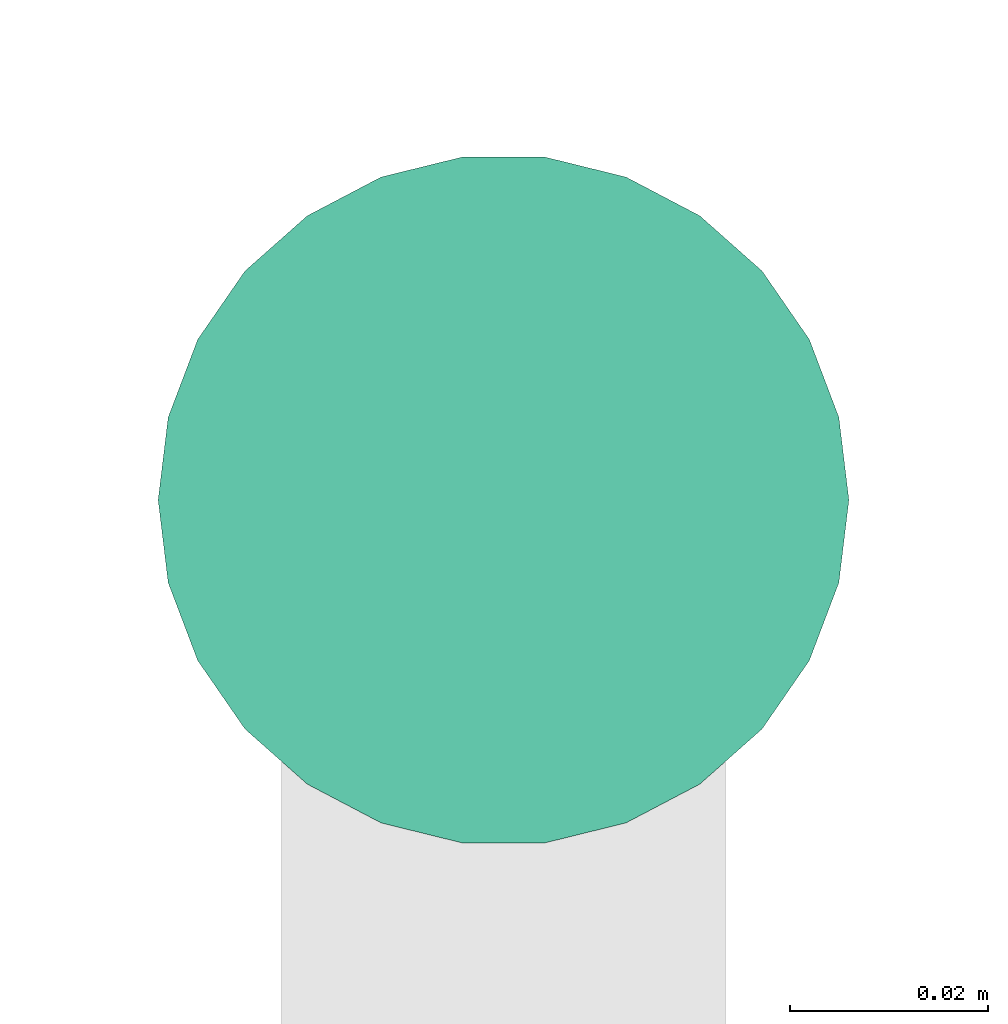
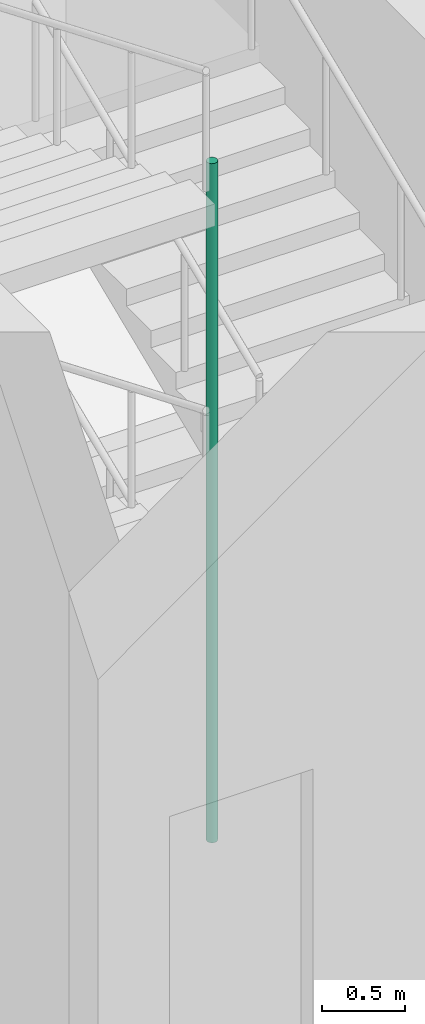
# One storey, part 25 of 31: 1 pipe segment.
"""IFC4 building model written with IfcOpenShell, lengths in metres."""

from ifc_helpers import new_model, si_unit, direction, frame, origin, origin_2d, place, context, subcontext, project, spatial, circle, extrude, element, save


model = new_model("IFC4")

# Units and contexts
model_context = context("Model", 3, precision=1e-05, world=origin(), true_north=direction((0.0, 1.0)))
body_context = subcontext(model_context, "Body", "Model", "MODEL_VIEW")
ifc_project = project(units=[si_unit("LENGTHUNIT", "METRE"), si_unit("AREAUNIT", "SQUARE_METRE"), si_unit("VOLUMEUNIT", "CUBIC_METRE"), si_unit("PLANEANGLEUNIT", "RADIAN"), si_unit("MASSUNIT", "GRAM", prefix="KILO")], contexts=[model_context])

# Site, building, storey
site_placement = place(None, origin())
site = spatial("IfcSite", under=ifc_project, at=site_placement, CompositionType="ELEMENT")
building_placement = place(site_placement, origin())
building = spatial("IfcBuilding", under=site, at=building_placement, Name="Nzadi Deep Aquarium and Research Tower", CompositionType="ELEMENT")
storey_placement = place(building_placement, frame((0.0, 0.0, 21.699951171875)))
storey = spatial("IfcBuildingStorey", under=building, at=storey_placement, Name="L03", CompositionType="ELEMENT", Elevation=21.699951171875)

# Pipe segment
pipe_segment_placement = place(storey_placement, frame((55.300048828125, 116.360107421875, 0.0), z_axis=(0.0, 0.0, 1.0), x_axis=(1.0, 0.0, 0.0)))
element("IfcPipeSegment", 1, at=pipe_segment_placement, inside=storey, Name="Dry riser ST-Z3-E L03", PredefinedType="RIGIDSEGMENT", context=body_context, shape_type="SweptSolid", body=[
    extrude(circle(Radius=0.034912109375, at=origin_2d()), origin(), (0.0, 0.0, 1.0), 5.0),
])

save(model, "model.ifc")
